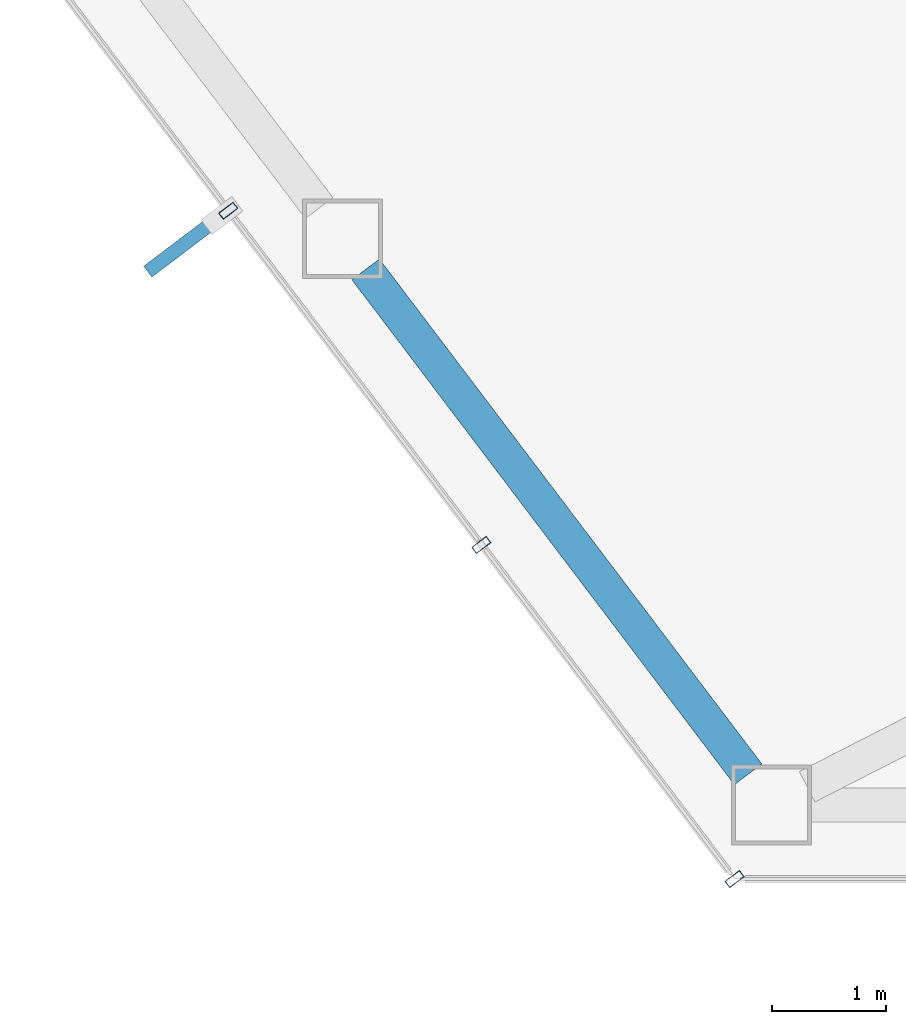
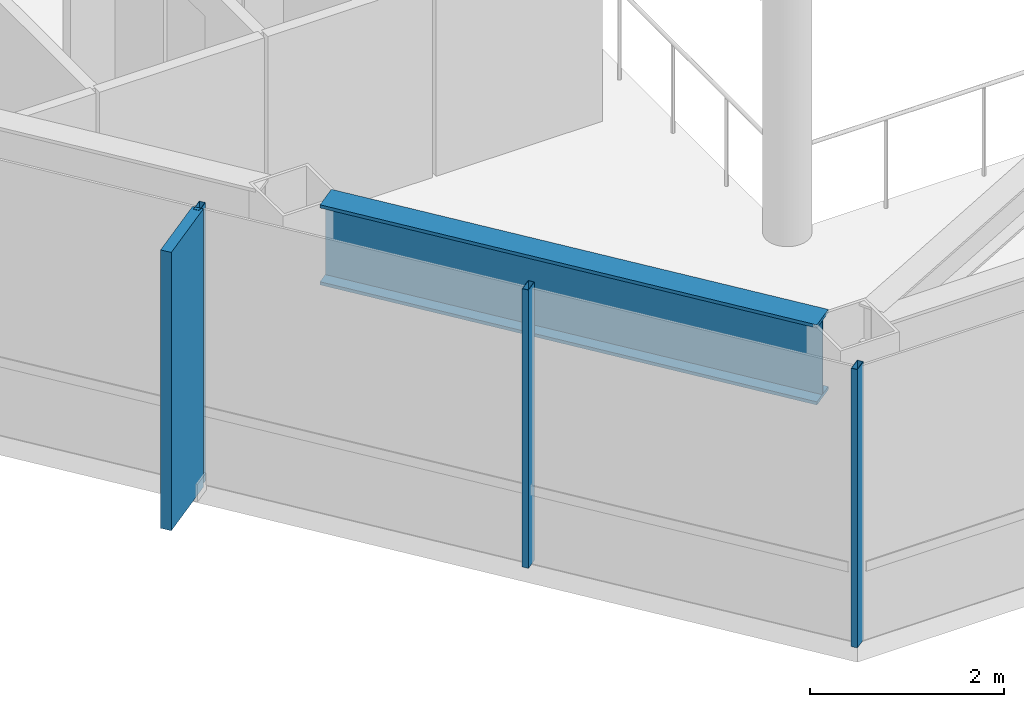
# One storey, part 2 of 28: 4 members, 1 beam, 1 element without a shape of its own.
"""IFC4 building model written with IfcOpenShell, lengths in metres."""

from ifc_helpers import new_model, si_unit, direction, frame, origin, origin_2d, place, context, subcontext, project, spatial, rectangle, hollow_rectangle, i_section, extrude, material, layer, layer_set, material_profile, profile_set, type_object, element, aggregate, save


model = new_model("IFC4")

# Units and contexts
model_context = context("Model", 3, precision=1e-05, world=origin(), true_north=direction((0.0, 1.0)))
body_context = subcontext(model_context, "Body", "Model", "MODEL_VIEW")
ifc_project = project(units=[si_unit("LENGTHUNIT", "METRE"), si_unit("AREAUNIT", "SQUARE_METRE"), si_unit("VOLUMEUNIT", "CUBIC_METRE"), si_unit("PLANEANGLEUNIT", "RADIAN"), si_unit("MASSUNIT", "GRAM", prefix="KILO")], contexts=[model_context])

# Site, building, storey
site_placement = place(None, origin())
site = spatial("IfcSite", under=ifc_project, at=site_placement, CompositionType="ELEMENT")
building_placement = place(site_placement, origin())
building = spatial("IfcBuilding", under=site, at=building_placement, Name="Zarrinselat Tower", CompositionType="ELEMENT")
storey_placement = place(building_placement, frame((0.0, 0.0, 168.300048828125)))
storey = spatial("IfcBuildingStorey", under=building, at=storey_placement, Name="L41", CompositionType="ELEMENT", Elevation=168.300048828125)

# Beam
ifc_material_1 = material(Name="Steel S460M", Category="steel")
ifc_material_profile_1 = material_profile(ifc_material_1, i_section(OverallWidth=0.302001953125, OverallDepth=1.008056640625, WebThickness=0.02099609375, FlangeThickness=0.0400390625, at=origin_2d()), Name="HEM 1000")
ifc_profile_set_1 = profile_set([ifc_material_profile_1], Name="Steel S460M")
beam_type = type_object("IfcBeamType", Name="BM-HEM1000", PredefinedType="BEAM", material=ifc_profile_set_1)
beam_placement = place(storey_placement, frame((27.501953125, 23.0009765625, 2.995849609375), z_axis=(0.603832304044, -0.797111377784, 0.0), x_axis=(0.797111377784, 0.603832304044, 0.0)))
element("IfcBeam", 1, at=beam_placement, inside=storey, type_object=beam_type, Name="L41 Perimeter Spandrel Girder SP09", PredefinedType="BEAM", context=body_context, shape_type="SweptSolid", body=[
    extrude(i_section(OverallWidth=0.302001953125, OverallDepth=1.008056640625, WebThickness=0.02099609375, FlangeThickness=0.0400390625, at=origin_2d()), origin(), (0.0, 0.0, 1.0), 5.555419921875),
])

# Curtain wall, members
ifc_material_2 = material(Name="Extruded Aluminium Alloy EN AW-6063 T6", Category="aluminium")
ifc_layer = layer(ifc_material_2, 0.175048828125)
ifc_layer_set = layer_set([ifc_layer], Name="Extruded Aluminium Alloy EN AW-6063 T6")
curtain_wall_type = type_object("IfcCurtainWallType", Name="CWS-HTL", PredefinedType="NOTDEFINED", material=ifc_layer_set)
curtain_wall_placement = place(storey_placement, origin())
curtain_wall = element("IfcCurtainWall", 2, at=curtain_wall_placement, inside=storey, type_object=curtain_wall_type, Name="L41 Unitised Curtain Wall CW-L41-E03", PredefinedType="NOTDEFINED")
ifc_material_3 = material(Name="Extruded Aluminium Alloy EN AW-6063 T6", Category="aluminium")
ifc_material_profile_2 = material_profile(ifc_material_3, hollow_rectangle(XDim=0.070068359375, YDim=0.159912109375, WallThickness=0.00390625, at=origin_2d()), Name="RHS 160x70x4")
ifc_profile_set_2 = profile_set([ifc_material_profile_2], Name="Extruded Aluminium Alloy EN AW-6063 T6")
member_type_1 = type_object("IfcMemberType", Name="MEM-CW-MUL2", PredefinedType="MULLION", material=ifc_profile_set_2)
member_1_placement = place(storey_placement, frame((26.29638671875, 23.515380859375, 0.0), z_axis=(0.0, 0.0, 1.0), x_axis=(0.603857987184, -0.797091921496, 0.0)))
member_1 = element("IfcMember", 3, at=member_1_placement, type_object=member_type_1, Name="CW-L41-E03 Mullion 5", PredefinedType="MULLION", context=body_context, shape_type="SweptSolid", body=[
    extrude(hollow_rectangle(XDim=0.070068359375, YDim=0.159912109375, WallThickness=0.00390625, at=origin_2d()), origin(), (0.0, 0.0, 1.0), 3.5),
])
member_2_placement = place(storey_placement, frame((28.51708984375, 20.58447265625, 0.0), z_axis=(0.0, 0.0, 1.0), x_axis=(0.603857987184, -0.797091921496, 0.0)))
member_2 = element("IfcMember", 4, at=member_2_placement, type_object=member_type_1, Name="CW-L41-E03 Mullion 6", PredefinedType="MULLION", context=body_context, shape_type="SweptSolid", body=[
    extrude(hollow_rectangle(XDim=0.070068359375, YDim=0.159912109375, WallThickness=0.00390625, at=origin_2d()), origin(), (0.0, 0.0, 1.0), 3.5),
])
member_3_placement = place(storey_placement, frame((30.737548828125, 17.6533203125, 0.0), z_axis=(0.0, 0.0, 1.0), x_axis=(0.603857987184, -0.797091921496, 0.0)))
member_3 = element("IfcMember", 5, at=member_3_placement, type_object=member_type_1, Name="CW-L41-E03 Mullion 7", PredefinedType="MULLION", context=body_context, shape_type="SweptSolid", body=[
    extrude(hollow_rectangle(XDim=0.070068359375, YDim=0.159912109375, WallThickness=0.00390625, at=origin_2d()), origin(), (0.0, 0.0, 1.0), 3.5),
])
ifc_material_4 = material(Name="Honed Cream Travertine Stone", Category="masonry")
ifc_material_profile_3 = material_profile(ifc_material_4, rectangle(XDim=0.1201171875, YDim=0.85009765625, at=origin_2d()), Name="FIN 850x120")
ifc_profile_set_3 = profile_set([ifc_material_profile_3], Name="Honed Cream Travertine Stone")
member_type_2 = type_object("IfcMemberType", Name="MEM-STONE-FIN", PredefinedType="USERDEFINED", material=ifc_profile_set_3)
member_4_placement = place(storey_placement, frame((25.9296875, 23.23779296875, 0.0), z_axis=(0.0, 0.0, 1.0), x_axis=(-0.603857987184, 0.797091921496, 0.0)))
member_4 = element("IfcMember", 6, at=member_4_placement, type_object=member_type_2, Name="L41 Stone Shading Fin CW-L41-E03-05", ObjectType="FIN", PredefinedType="USERDEFINED", context=body_context, shape_type="SweptSolid", body=[
    extrude(rectangle(XDim=0.1201171875, YDim=0.85009765625, at=origin_2d()), origin(), (0.0, 0.0, 1.0), 3.5),
])
aggregate(curtain_wall, [member_1, member_4, member_2, member_3])

save(model, "model.ifc")
